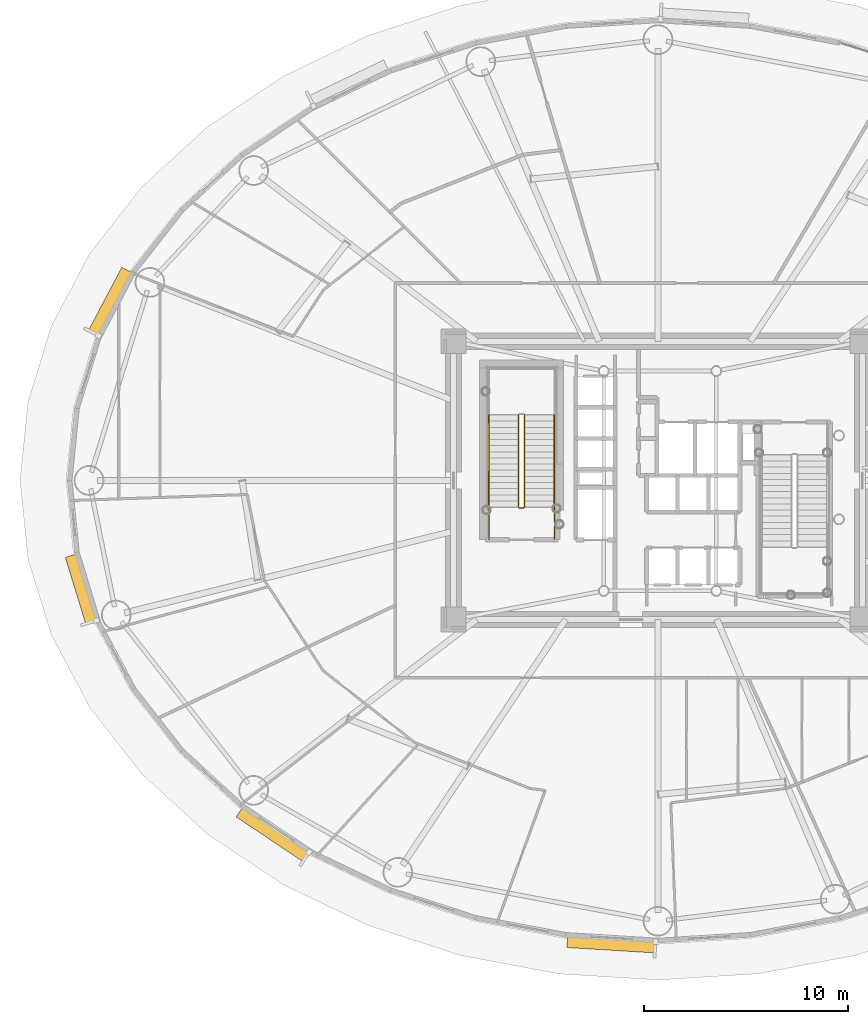
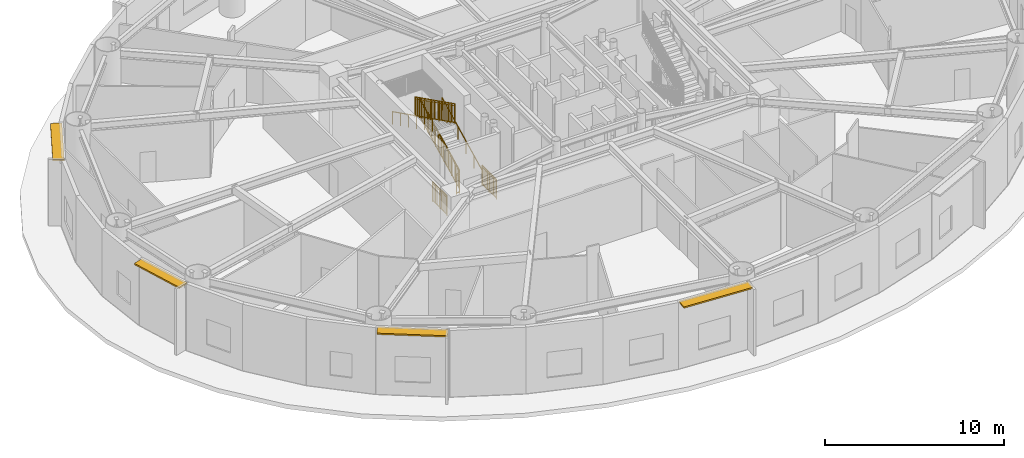
# One storey, part 14 of 19: 7 railings, 4 shading devices.
"""IFC4 building model written with IfcOpenShell, lengths in metres."""

from ifc_helpers import new_model, si_unit, direction, frame, origin, origin_2d, place, context, subcontext, project, spatial, rectangle, extrude, source, transform, mapped, material, layer, layer_set, type_object, element, save


model = new_model("IFC4")

# Units and contexts
model_context = context("Model", 3, precision=1e-05, world=origin(), true_north=direction((0.0, 1.0)))
body_context = subcontext(model_context, "Body", "Model", "MODEL_VIEW")
ifc_project = project(units=[si_unit("LENGTHUNIT", "METRE"), si_unit("AREAUNIT", "SQUARE_METRE"), si_unit("VOLUMEUNIT", "CUBIC_METRE"), si_unit("PLANEANGLEUNIT", "RADIAN"), si_unit("MASSUNIT", "GRAM", prefix="KILO")], contexts=[model_context])

# Site, building, storey
site_placement = place(None, origin())
site = spatial("IfcSite", under=ifc_project, at=site_placement, CompositionType="ELEMENT")
building_placement = place(site_placement, origin())
building = spatial("IfcBuilding", under=site, at=building_placement, Name="Linh Dai School and Residence Tower", CompositionType="ELEMENT")
storey_placement = place(building_placement, frame((0.0, 0.0, 92.39990234375)))
storey = spatial("IfcBuildingStorey", under=building, at=storey_placement, Name="L21", CompositionType="ELEMENT", Elevation=92.39990234375)

# Shading devices
ifc_material_1 = material(Name="Terracotta Ceramic Sunshade", Category="masonry")
ifc_layer = layer(ifc_material_1, 0.10009765625)
ifc_layer_set = layer_set([ifc_layer], Name="Terracotta Ceramic Sunshade")
shading_device_type = type_object("IfcShadingDeviceType", Name="SHD-TC-650", PredefinedType="USERDEFINED", material=ifc_layer_set)
shared_shape_1 = source(origin(), body_context, "Body", "SweptSolid", [
    extrude(rectangle(XDim=3.44384765625, YDim=0.64990234375, at=origin_2d()), origin(), (0.0, 0.0, 1.0), 0.10009765625),
])
shading_device_1_placement = place(storey_placement, frame((7.83154296875, 21.686279296875, 4.429931640625), z_axis=(0.0, 0.0, 1.0), x_axis=(-0.293133528962, 0.956071511028, 0.0)))
element("IfcShadingDevice", 1, at=shading_device_1_placement, inside=storey, type_object=shading_device_type, Name="L21 Terracotta Horizontal Sunshade Band 22", ObjectType="SUNSHADE", PredefinedType="USERDEFINED", context=body_context, shape_type="MappedRepresentation", body=[
    mapped(shared_shape_1, transform((0.0, 0.0, 0.0), x_axis=(1.0, 0.0, 0.0), y_axis=(0.0, 1.0, 0.0), z_axis=(0.0, 0.0, 1.0), scale=1.0)),
])
shared_shape_2 = source(origin(), body_context, "Body", "SweptSolid", [
    extrude(rectangle(XDim=3.96484375, YDim=0.64990234375, at=origin_2d()), origin(), (0.0, 0.0, 1.0), 0.10009765625),
])
shading_device_2_placement = place(storey_placement, frame((17.19970703125, 9.711669921875, 4.429931640625), z_axis=(0.0, 0.0, 1.0), x_axis=(-0.831240347736, 0.555913198527, 0.0)))
element("IfcShadingDevice", 2, at=shading_device_2_placement, inside=storey, type_object=shading_device_type, Name="L21 Terracotta Horizontal Sunshade Band 26", ObjectType="SUNSHADE", PredefinedType="USERDEFINED", context=body_context, shape_type="MappedRepresentation", body=[
    mapped(shared_shape_2, transform((0.0, 0.0, 0.0), x_axis=(1.0, 0.0, 0.0), y_axis=(0.0, 1.0, 0.0), z_axis=(0.0, 0.0, 1.0), scale=1.0)),
])
shared_shape_3 = source(origin(), body_context, "Body", "SweptSolid", [
    extrude(rectangle(XDim=4.33349609375, YDim=0.64990234375, at=origin_2d()), origin(), (0.0, 0.0, 1.0), 0.10009765625),
])
shading_device_3_placement = place(storey_placement, frame((33.729736328125, 4.349365234375, 4.429931640625), z_axis=(0.0, 0.0, 1.0), x_axis=(-0.998106513123, 0.061509255091, 0.0)))
element("IfcShadingDevice", 3, at=shading_device_3_placement, inside=storey, type_object=shading_device_type, Name="L21 Terracotta Horizontal Sunshade Band 30", ObjectType="SUNSHADE", PredefinedType="USERDEFINED", context=body_context, shape_type="MappedRepresentation", body=[
    mapped(shared_shape_3, transform((0.0, 0.0, 0.0), x_axis=(1.0, 0.0, 0.0), y_axis=(0.0, 1.0, 0.0), z_axis=(0.0, 0.0, 1.0), scale=1.0)),
])
shared_shape_4 = source(origin(), body_context, "Body", "SweptSolid", [
    extrude(rectangle(XDim=3.541015625, YDim=0.64990234375, at=origin_2d()), origin(), (0.0, 0.0, 1.0), 0.10009765625),
])
shading_device_4_placement = place(storey_placement, frame((9.240478515625, 35.708740234375, 4.429931640625), z_axis=(0.0, 0.0, 1.0), x_axis=(0.467596217252, 0.883942180016, 0.0)))
element("IfcShadingDevice", 4, at=shading_device_4_placement, inside=storey, type_object=shading_device_type, Name="L21 Terracotta Horizontal Sunshade Band 18", ObjectType="SUNSHADE", PredefinedType="USERDEFINED", context=body_context, shape_type="MappedRepresentation", body=[
    mapped(shared_shape_4, transform((0.0, 0.0, 0.0), x_axis=(1.0, 0.0, 0.0), y_axis=(0.0, 1.0, 0.0), z_axis=(0.0, 0.0, 1.0), scale=1.0)),
])

# Railings
ifc_material_2 = material(Name="Structural Steel S355JR", Category="steel")
railing_type_1 = type_object("IfcRailingType", Name="RL-ST-GUARD-1400", PredefinedType="GUARDRAIL", material=ifc_material_2)
shared_shape_5 = source(origin(), body_context, "Body", "SweptSolid", [
    extrude(rectangle(XDim=0.048095703125, YDim=0.048095703125, at=origin_2d()), frame((0.0, 0.0, 1.3759765625), z_axis=(-1.0, 0.0, 0.0), x_axis=(0.0, -1.0, 0.0)), (0.0, 0.0, 1.0), 0.199951171875),
    extrude(rectangle(XDim=0.048095703125, YDim=0.048095703125, at=origin_2d()), frame((0.0, 0.0, 0.10009765625), z_axis=(-1.0, 0.0, 0.0), x_axis=(0.0, -1.0, 0.0)), (0.0, 0.0, 1.0), 0.199951171875),
    extrude(rectangle(XDim=0.030029296875, YDim=0.030029296875, at=origin_2d()), frame((0.0, 0.0, 1.239990234375), z_axis=(-1.0, 0.0, 0.0), x_axis=(0.0, -1.0, 0.0)), (0.0, 0.0, 1.0), 0.199951171875),
    extrude(rectangle(XDim=0.0419921875, YDim=0.0419921875, at=origin_2d()), origin(), (0.0, 0.0, 1.0), 1.3759765625),
    extrude(rectangle(XDim=0.0419921875, YDim=0.0419921875, at=origin_2d()), frame((-0.199951171875, 0.0, 0.0)), (0.0, 0.0, 1.0), 1.3759765625),
])
railing_1_placement = place(storey_placement, frame((29.429931640625, 25.64990234375, 0.0)))
element("IfcRailing", 5, at=railing_1_placement, inside=storey, type_object=railing_type_1, Name="L21 ST1 stair guard 7", PredefinedType="GUARDRAIL", context=body_context, shape_type="MappedRepresentation", body=[
    mapped(shared_shape_5, transform((0.0, 0.0, 0.0), x_axis=(1.0, 0.0, 0.0), y_axis=(0.0, 1.0, 0.0), z_axis=(0.0, 0.0, 1.0), scale=1.0)),
])
shared_shape_6 = source(origin(), body_context, "Body", "SweptSolid", [
    extrude(rectangle(XDim=0.048095703125, YDim=0.048095703125, at=origin_2d()), frame((0.0, 0.0, 1.3759765625), z_axis=(0.0, 1.0, 0.0), x_axis=(-1.0, 0.0, 0.0)), (0.0, 0.0, 1.0), 1.599853515625),
    extrude(rectangle(XDim=0.048095703125, YDim=0.048095703125, at=origin_2d()), frame((0.0, 0.0, 0.10009765625), z_axis=(0.0, 1.0, 0.0), x_axis=(-1.0, 0.0, 0.0)), (0.0, 0.0, 1.0), 1.599853515625),
    extrude(rectangle(XDim=0.030029296875, YDim=0.030029296875, at=origin_2d()), frame((0.0, 0.0, 1.239990234375), z_axis=(0.0, 1.0, 0.0), x_axis=(-1.0, 0.0, 0.0)), (0.0, 0.0, 1.0), 1.599853515625),
    extrude(rectangle(XDim=0.02001953125, YDim=0.02001953125, at=origin_2d()), frame((0.0, 0.093994140625, 0.10009765625)), (0.0, 0.0, 1.0), 1.251708984375),
    extrude(rectangle(XDim=0.02001953125, YDim=0.02001953125, at=origin_2d()), frame((0.0, 0.188232421875, 0.10009765625)), (0.0, 0.0, 1.0), 1.251708984375),
    extrude(rectangle(XDim=0.02001953125, YDim=0.02001953125, at=origin_2d()), frame((0.0, 0.2822265625, 0.10009765625)), (0.0, 0.0, 1.0), 1.251708984375),
    extrude(rectangle(XDim=0.02001953125, YDim=0.02001953125, at=origin_2d()), frame((0.0, 0.37646484375, 0.10009765625)), (0.0, 0.0, 1.0), 1.251708984375),
    extrude(rectangle(XDim=0.02001953125, YDim=0.02001953125, at=origin_2d()), frame((0.0, 0.470458984375, 0.10009765625)), (0.0, 0.0, 1.0), 1.251708984375),
    extrude(rectangle(XDim=0.02001953125, YDim=0.02001953125, at=origin_2d()), frame((0.0, 0.564697265625, 0.10009765625)), (0.0, 0.0, 1.0), 1.251708984375),
    extrude(rectangle(XDim=0.02001953125, YDim=0.02001953125, at=origin_2d()), frame((0.0, 0.65869140625, 0.10009765625)), (0.0, 0.0, 1.0), 1.251708984375),
    extrude(rectangle(XDim=0.02001953125, YDim=0.02001953125, at=origin_2d()), frame((0.0, 0.7529296875, 0.10009765625)), (0.0, 0.0, 1.0), 1.251708984375),
    extrude(rectangle(XDim=0.02001953125, YDim=0.02001953125, at=origin_2d()), frame((0.0, 0.846923828125, 0.10009765625)), (0.0, 0.0, 1.0), 1.251708984375),
    extrude(rectangle(XDim=0.02001953125, YDim=0.02001953125, at=origin_2d()), frame((0.0, 0.941162109375, 0.10009765625)), (0.0, 0.0, 1.0), 1.251708984375),
    extrude(rectangle(XDim=0.02001953125, YDim=0.02001953125, at=origin_2d()), frame((0.0, 1.03515625, 0.10009765625)), (0.0, 0.0, 1.0), 1.251708984375),
    extrude(rectangle(XDim=0.02001953125, YDim=0.02001953125, at=origin_2d()), frame((0.0, 1.12939453125, 0.10009765625)), (0.0, 0.0, 1.0), 1.251708984375),
    extrude(rectangle(XDim=0.02001953125, YDim=0.02001953125, at=origin_2d()), frame((0.0, 1.223388671875, 0.10009765625)), (0.0, 0.0, 1.0), 1.251708984375),
    extrude(rectangle(XDim=0.02001953125, YDim=0.02001953125, at=origin_2d()), frame((0.0, 1.317626953125, 0.10009765625)), (0.0, 0.0, 1.0), 1.251708984375),
    extrude(rectangle(XDim=0.02001953125, YDim=0.02001953125, at=origin_2d()), frame((0.0, 1.41162109375, 0.10009765625)), (0.0, 0.0, 1.0), 1.251708984375),
    extrude(rectangle(XDim=0.02001953125, YDim=0.02001953125, at=origin_2d()), frame((0.0, 1.505859375, 0.10009765625)), (0.0, 0.0, 1.0), 1.251708984375),
    extrude(rectangle(XDim=0.0419921875, YDim=0.0419921875, at=origin_2d()), origin(), (0.0, 0.0, 1.0), 1.3759765625),
    extrude(rectangle(XDim=0.0419921875, YDim=0.0419921875, at=origin_2d()), frame((0.0, 0.7998046875, 0.0)), (0.0, 0.0, 1.0), 1.3759765625),
    extrude(rectangle(XDim=0.0419921875, YDim=0.0419921875, at=origin_2d()), frame((0.0, 1.599853515625, 0.0)), (0.0, 0.0, 1.0), 1.3759765625),
])
for number, where, name in (
    (6, (30.929931640625, 24.10009765625, 0.0), "L21 ST1 stair guard 8"),
    (7, (27.72998046875, 24.10009765625, 0.0), "L21 ST1 stair guard 9"),
):
    element("IfcRailing", number, at=place(storey_placement, frame(where)), inside=storey, type_object=railing_type_1, Name=name, PredefinedType="GUARDRAIL", context=body_context, shape_type="MappedRepresentation", body=[
        mapped(shared_shape_6, transform((0.0, 0.0, 0.0), x_axis=(1.0, 0.0, 0.0), y_axis=(0.0, 1.0, 0.0), z_axis=(0.0, 0.0, 1.0), scale=1.0)),
    ])
shared_shape_7 = source(origin(), body_context, "Body", "SweptSolid", [
    extrude(rectangle(XDim=0.048095703125, YDim=0.048095703125, at=origin_2d()), frame((0.0, 0.0, 1.3759765625), z_axis=(0.0, 0.894427191, 0.4472135955), x_axis=(-1.0, 0.0, 0.0)), (0.0, 0.0, 1.0), 5.03125),
    extrude(rectangle(XDim=0.048095703125, YDim=0.048095703125, at=origin_2d()), frame((0.0, 0.0, 0.10009765625), z_axis=(0.0, 0.894427191, 0.4472135955), x_axis=(-1.0, 0.0, 0.0)), (0.0, 0.0, 1.0), 5.03125),
    extrude(rectangle(XDim=0.030029296875, YDim=0.030029296875, at=origin_2d()), frame((0.0, 0.0, 1.239990234375), z_axis=(0.0, 0.894427191, 0.4472135955), x_axis=(-1.0, 0.0, 0.0)), (0.0, 0.0, 1.0), 5.03125),
    extrude(rectangle(XDim=0.02001953125, YDim=0.02001953125, at=origin_2d()), frame((0.0, 0.08642578125, 0.143310546875)), (0.0, 0.0, 1.0), 1.251708984375),
    extrude(rectangle(XDim=0.02001953125, YDim=0.02001953125, at=origin_2d()), frame((0.0, 0.173095703125, 0.1865234375)), (0.0, 0.0, 1.0), 1.251708984375),
    extrude(rectangle(XDim=0.02001953125, YDim=0.02001953125, at=origin_2d()), frame((0.0, 0.259521484375, 0.22998046875)), (0.0, 0.0, 1.0), 1.251708984375),
    extrude(rectangle(XDim=0.02001953125, YDim=0.02001953125, at=origin_2d()), frame((0.0, 0.34619140625, 0.273193359375)), (0.0, 0.0, 1.0), 1.251708984375),
    extrude(rectangle(XDim=0.02001953125, YDim=0.02001953125, at=origin_2d()), frame((0.0, 0.4326171875, 0.31640625)), (0.0, 0.0, 1.0), 1.251708984375),
    extrude(rectangle(XDim=0.02001953125, YDim=0.02001953125, at=origin_2d()), frame((0.0, 0.519287109375, 0.359619140625)), (0.0, 0.0, 1.0), 1.251708984375),
    extrude(rectangle(XDim=0.02001953125, YDim=0.02001953125, at=origin_2d()), frame((0.0, 0.605712890625, 0.403076171875)), (0.0, 0.0, 1.0), 1.251708984375),
    extrude(rectangle(XDim=0.02001953125, YDim=0.02001953125, at=origin_2d()), frame((0.0, 0.6923828125, 0.4462890625)), (0.0, 0.0, 1.0), 1.251708984375),
    extrude(rectangle(XDim=0.02001953125, YDim=0.02001953125, at=origin_2d()), frame((0.0, 0.77880859375, 0.489501953125)), (0.0, 0.0, 1.0), 1.251708984375),
    extrude(rectangle(XDim=0.02001953125, YDim=0.02001953125, at=origin_2d()), frame((0.0, 0.951904296875, 0.576171875)), (0.0, 0.0, 1.0), 1.251708984375),
    extrude(rectangle(XDim=0.02001953125, YDim=0.02001953125, at=origin_2d()), frame((0.0, 1.03857421875, 0.619384765625)), (0.0, 0.0, 1.0), 1.251708984375),
    extrude(rectangle(XDim=0.02001953125, YDim=0.02001953125, at=origin_2d()), frame((0.0, 1.125, 0.66259765625)), (0.0, 0.0, 1.0), 1.251708984375),
    extrude(rectangle(XDim=0.02001953125, YDim=0.02001953125, at=origin_2d()), frame((0.0, 1.21142578125, 0.705810546875)), (0.0, 0.0, 1.0), 1.251708984375),
    extrude(rectangle(XDim=0.02001953125, YDim=0.02001953125, at=origin_2d()), frame((0.0, 1.298095703125, 0.7490234375)), (0.0, 0.0, 1.0), 1.251708984375),
    extrude(rectangle(XDim=0.02001953125, YDim=0.02001953125, at=origin_2d()), frame((0.0, 1.384521484375, 0.79248046875)), (0.0, 0.0, 1.0), 1.251708984375),
    extrude(rectangle(XDim=0.02001953125, YDim=0.02001953125, at=origin_2d()), frame((0.0, 1.47119140625, 0.835693359375)), (0.0, 0.0, 1.0), 1.251708984375),
    extrude(rectangle(XDim=0.02001953125, YDim=0.02001953125, at=origin_2d()), frame((0.0, 1.5576171875, 0.87890625)), (0.0, 0.0, 1.0), 1.251708984375),
    extrude(rectangle(XDim=0.02001953125, YDim=0.02001953125, at=origin_2d()), frame((0.0, 1.644287109375, 0.922119140625)), (0.0, 0.0, 1.0), 1.251708984375),
    extrude(rectangle(XDim=0.02001953125, YDim=0.02001953125, at=origin_2d()), frame((0.0, 1.730712890625, 0.965576171875)), (0.0, 0.0, 1.0), 1.251708984375),
    extrude(rectangle(XDim=0.02001953125, YDim=0.02001953125, at=origin_2d()), frame((0.0, 1.90380859375, 1.052001953125)), (0.0, 0.0, 1.0), 1.251708984375),
    extrude(rectangle(XDim=0.02001953125, YDim=0.02001953125, at=origin_2d()), frame((0.0, 1.990478515625, 1.09521484375)), (0.0, 0.0, 1.0), 1.251708984375),
    extrude(rectangle(XDim=0.02001953125, YDim=0.02001953125, at=origin_2d()), frame((0.0, 2.076904296875, 1.138671875)), (0.0, 0.0, 1.0), 1.251708984375),
    extrude(rectangle(XDim=0.02001953125, YDim=0.02001953125, at=origin_2d()), frame((0.0, 2.16357421875, 1.181884765625)), (0.0, 0.0, 1.0), 1.251708984375),
    extrude(rectangle(XDim=0.02001953125, YDim=0.02001953125, at=origin_2d()), frame((0.0, 2.25, 1.22509765625)), (0.0, 0.0, 1.0), 1.251708984375),
    extrude(rectangle(XDim=0.02001953125, YDim=0.02001953125, at=origin_2d()), frame((0.0, 2.33642578125, 1.268310546875)), (0.0, 0.0, 1.0), 1.251708984375),
    extrude(rectangle(XDim=0.02001953125, YDim=0.02001953125, at=origin_2d()), frame((0.0, 2.423095703125, 1.3115234375)), (0.0, 0.0, 1.0), 1.251708984375),
    extrude(rectangle(XDim=0.02001953125, YDim=0.02001953125, at=origin_2d()), frame((0.0, 2.509521484375, 1.35498046875)), (0.0, 0.0, 1.0), 1.251708984375),
    extrude(rectangle(XDim=0.02001953125, YDim=0.02001953125, at=origin_2d()), frame((0.0, 2.59619140625, 1.398193359375)), (0.0, 0.0, 1.0), 1.251708984375),
    extrude(rectangle(XDim=0.02001953125, YDim=0.02001953125, at=origin_2d()), frame((0.0, 2.769287109375, 1.484619140625)), (0.0, 0.0, 1.0), 1.251708984375),
    extrude(rectangle(XDim=0.02001953125, YDim=0.02001953125, at=origin_2d()), frame((0.0, 2.855712890625, 1.528076171875)), (0.0, 0.0, 1.0), 1.251708984375),
    extrude(rectangle(XDim=0.02001953125, YDim=0.02001953125, at=origin_2d()), frame((0.0, 2.9423828125, 1.5712890625)), (0.0, 0.0, 1.0), 1.251708984375),
    extrude(rectangle(XDim=0.02001953125, YDim=0.02001953125, at=origin_2d()), frame((0.0, 3.02880859375, 1.614501953125)), (0.0, 0.0, 1.0), 1.251708984375),
    extrude(rectangle(XDim=0.02001953125, YDim=0.02001953125, at=origin_2d()), frame((0.0, 3.115478515625, 1.65771484375)), (0.0, 0.0, 1.0), 1.251708984375),
    extrude(rectangle(XDim=0.02001953125, YDim=0.02001953125, at=origin_2d()), frame((0.0, 3.201904296875, 1.701171875)), (0.0, 0.0, 1.0), 1.251708984375),
    extrude(rectangle(XDim=0.02001953125, YDim=0.02001953125, at=origin_2d()), frame((0.0, 3.28857421875, 1.744384765625)), (0.0, 0.0, 1.0), 1.251708984375),
    extrude(rectangle(XDim=0.02001953125, YDim=0.02001953125, at=origin_2d()), frame((0.0, 3.375, 1.78759765625)), (0.0, 0.0, 1.0), 1.251708984375),
    extrude(rectangle(XDim=0.02001953125, YDim=0.02001953125, at=origin_2d()), frame((0.0, 3.46142578125, 1.830810546875)), (0.0, 0.0, 1.0), 1.251708984375),
    extrude(rectangle(XDim=0.02001953125, YDim=0.02001953125, at=origin_2d()), frame((0.0, 3.548095703125, 1.8740234375)), (0.0, 0.0, 1.0), 1.251708984375),
    extrude(rectangle(XDim=0.02001953125, YDim=0.02001953125, at=origin_2d()), frame((0.0, 3.72119140625, 1.960693359375)), (0.0, 0.0, 1.0), 1.251708984375),
    extrude(rectangle(XDim=0.02001953125, YDim=0.02001953125, at=origin_2d()), frame((0.0, 3.8076171875, 2.00390625)), (0.0, 0.0, 1.0), 1.251708984375),
    extrude(rectangle(XDim=0.02001953125, YDim=0.02001953125, at=origin_2d()), frame((0.0, 3.894287109375, 2.047119140625)), (0.0, 0.0, 1.0), 1.251708984375),
    extrude(rectangle(XDim=0.02001953125, YDim=0.02001953125, at=origin_2d()), frame((0.0, 3.980712890625, 2.090576171875)), (0.0, 0.0, 1.0), 1.251708984375),
    extrude(rectangle(XDim=0.02001953125, YDim=0.02001953125, at=origin_2d()), frame((0.0, 4.0673828125, 2.1337890625)), (0.0, 0.0, 1.0), 1.251708984375),
    extrude(rectangle(XDim=0.02001953125, YDim=0.02001953125, at=origin_2d()), frame((0.0, 4.15380859375, 2.177001953125)), (0.0, 0.0, 1.0), 1.251708984375),
    extrude(rectangle(XDim=0.02001953125, YDim=0.02001953125, at=origin_2d()), frame((0.0, 4.240478515625, 2.22021484375)), (0.0, 0.0, 1.0), 1.251708984375),
    extrude(rectangle(XDim=0.02001953125, YDim=0.02001953125, at=origin_2d()), frame((0.0, 4.326904296875, 2.263671875)), (0.0, 0.0, 1.0), 1.251708984375),
    extrude(rectangle(XDim=0.02001953125, YDim=0.02001953125, at=origin_2d()), frame((0.0, 4.41357421875, 2.306884765625)), (0.0, 0.0, 1.0), 1.251708984375),
    extrude(rectangle(XDim=0.0419921875, YDim=0.0419921875, at=origin_2d()), origin(), (0.0, 0.0, 1.0), 1.3759765625),
    extrude(rectangle(XDim=0.0419921875, YDim=0.0419921875, at=origin_2d()), frame((0.0, 0.89990234375, 0.449951171875)), (0.0, 0.0, 1.0), 1.3759765625),
    extrude(rectangle(XDim=0.0419921875, YDim=0.0419921875, at=origin_2d()), frame((0.0, 1.800048828125, 0.89990234375)), (0.0, 0.0, 1.0), 1.3759765625),
    extrude(rectangle(XDim=0.0419921875, YDim=0.0419921875, at=origin_2d()), frame((0.0, 2.699951171875, 1.35009765625)), (0.0, 0.0, 1.0), 1.3759765625),
    extrude(rectangle(XDim=0.0419921875, YDim=0.0419921875, at=origin_2d()), frame((0.0, 3.60009765625, 1.800048828125)), (0.0, 0.0, 1.0), 1.3759765625),
    extrude(rectangle(XDim=0.0419921875, YDim=0.0419921875, at=origin_2d()), frame((0.0, 4.5, 2.25)), (0.0, 0.0, 1.0), 1.3759765625),
])
railing_2_placement = place(storey_placement, frame((29.47998046875, 25.699951171875, 0.150146484375)))
element("IfcRailing", 8, at=railing_2_placement, inside=storey, type_object=railing_type_1, Name="L21 ST1 stair guard 1", PredefinedType="GUARDRAIL", context=body_context, shape_type="MappedRepresentation", body=[
    mapped(shared_shape_7, transform((0.0, 0.0, 0.0), x_axis=(1.0, 0.0, 0.0), y_axis=(0.0, 1.0, 0.0), z_axis=(0.0, 0.0, 1.0), scale=1.0)),
])
shared_shape_8 = source(origin(), body_context, "Body", "SweptSolid", [
    extrude(rectangle(XDim=0.048095703125, YDim=0.048095703125, at=origin_2d()), frame((0.0, 0.0, 1.3759765625), z_axis=(0.0, -0.894427191, 0.4472135955), x_axis=(1.0, 0.0, 0.0)), (0.0, 0.0, 1.0), 5.03125),
    extrude(rectangle(XDim=0.048095703125, YDim=0.048095703125, at=origin_2d()), frame((0.0, 0.0, 0.10009765625), z_axis=(0.0, -0.894427191, 0.4472135955), x_axis=(1.0, 0.0, 0.0)), (0.0, 0.0, 1.0), 5.03125),
    extrude(rectangle(XDim=0.030029296875, YDim=0.030029296875, at=origin_2d()), frame((0.0, 0.0, 1.239990234375), z_axis=(0.0, -0.894427191, 0.4472135955), x_axis=(1.0, 0.0, 0.0)), (0.0, 0.0, 1.0), 5.03125),
    extrude(rectangle(XDim=0.02001953125, YDim=0.02001953125, at=origin_2d()), frame((0.0, -0.08642578125, 0.143310546875)), (0.0, 0.0, 1.0), 1.251708984375),
    extrude(rectangle(XDim=0.02001953125, YDim=0.02001953125, at=origin_2d()), frame((0.0, -0.173095703125, 0.1865234375)), (0.0, 0.0, 1.0), 1.251708984375),
    extrude(rectangle(XDim=0.02001953125, YDim=0.02001953125, at=origin_2d()), frame((0.0, -0.259521484375, 0.22998046875)), (0.0, 0.0, 1.0), 1.251708984375),
    extrude(rectangle(XDim=0.02001953125, YDim=0.02001953125, at=origin_2d()), frame((0.0, -0.34619140625, 0.273193359375)), (0.0, 0.0, 1.0), 1.251708984375),
    extrude(rectangle(XDim=0.02001953125, YDim=0.02001953125, at=origin_2d()), frame((0.0, -0.4326171875, 0.31640625)), (0.0, 0.0, 1.0), 1.251708984375),
    extrude(rectangle(XDim=0.02001953125, YDim=0.02001953125, at=origin_2d()), frame((0.0, -0.519287109375, 0.359619140625)), (0.0, 0.0, 1.0), 1.251708984375),
    extrude(rectangle(XDim=0.02001953125, YDim=0.02001953125, at=origin_2d()), frame((0.0, -0.605712890625, 0.403076171875)), (0.0, 0.0, 1.0), 1.251708984375),
    extrude(rectangle(XDim=0.02001953125, YDim=0.02001953125, at=origin_2d()), frame((0.0, -0.6923828125, 0.4462890625)), (0.0, 0.0, 1.0), 1.251708984375),
    extrude(rectangle(XDim=0.02001953125, YDim=0.02001953125, at=origin_2d()), frame((0.0, -0.77880859375, 0.489501953125)), (0.0, 0.0, 1.0), 1.251708984375),
    extrude(rectangle(XDim=0.02001953125, YDim=0.02001953125, at=origin_2d()), frame((0.0, -0.951904296875, 0.576171875)), (0.0, 0.0, 1.0), 1.251708984375),
    extrude(rectangle(XDim=0.02001953125, YDim=0.02001953125, at=origin_2d()), frame((0.0, -1.03857421875, 0.619384765625)), (0.0, 0.0, 1.0), 1.251708984375),
    extrude(rectangle(XDim=0.02001953125, YDim=0.02001953125, at=origin_2d()), frame((0.0, -1.125, 0.66259765625)), (0.0, 0.0, 1.0), 1.251708984375),
    extrude(rectangle(XDim=0.02001953125, YDim=0.02001953125, at=origin_2d()), frame((0.0, -1.21142578125, 0.705810546875)), (0.0, 0.0, 1.0), 1.251708984375),
    extrude(rectangle(XDim=0.02001953125, YDim=0.02001953125, at=origin_2d()), frame((0.0, -1.298095703125, 0.7490234375)), (0.0, 0.0, 1.0), 1.251708984375),
    extrude(rectangle(XDim=0.02001953125, YDim=0.02001953125, at=origin_2d()), frame((0.0, -1.384521484375, 0.79248046875)), (0.0, 0.0, 1.0), 1.251708984375),
    extrude(rectangle(XDim=0.02001953125, YDim=0.02001953125, at=origin_2d()), frame((0.0, -1.47119140625, 0.835693359375)), (0.0, 0.0, 1.0), 1.251708984375),
    extrude(rectangle(XDim=0.02001953125, YDim=0.02001953125, at=origin_2d()), frame((0.0, -1.5576171875, 0.87890625)), (0.0, 0.0, 1.0), 1.251708984375),
    extrude(rectangle(XDim=0.02001953125, YDim=0.02001953125, at=origin_2d()), frame((0.0, -1.644287109375, 0.922119140625)), (0.0, 0.0, 1.0), 1.251708984375),
    extrude(rectangle(XDim=0.02001953125, YDim=0.02001953125, at=origin_2d()), frame((0.0, -1.730712890625, 0.965576171875)), (0.0, 0.0, 1.0), 1.251708984375),
    extrude(rectangle(XDim=0.02001953125, YDim=0.02001953125, at=origin_2d()), frame((0.0, -1.90380859375, 1.052001953125)), (0.0, 0.0, 1.0), 1.251708984375),
    extrude(rectangle(XDim=0.02001953125, YDim=0.02001953125, at=origin_2d()), frame((0.0, -1.990478515625, 1.09521484375)), (0.0, 0.0, 1.0), 1.251708984375),
    extrude(rectangle(XDim=0.02001953125, YDim=0.02001953125, at=origin_2d()), frame((0.0, -2.076904296875, 1.138671875)), (0.0, 0.0, 1.0), 1.251708984375),
    extrude(rectangle(XDim=0.02001953125, YDim=0.02001953125, at=origin_2d()), frame((0.0, -2.16357421875, 1.181884765625)), (0.0, 0.0, 1.0), 1.251708984375),
    extrude(rectangle(XDim=0.02001953125, YDim=0.02001953125, at=origin_2d()), frame((0.0, -2.25, 1.22509765625)), (0.0, 0.0, 1.0), 1.251708984375),
    extrude(rectangle(XDim=0.02001953125, YDim=0.02001953125, at=origin_2d()), frame((0.0, -2.33642578125, 1.268310546875)), (0.0, 0.0, 1.0), 1.251708984375),
    extrude(rectangle(XDim=0.02001953125, YDim=0.02001953125, at=origin_2d()), frame((0.0, -2.423095703125, 1.3115234375)), (0.0, 0.0, 1.0), 1.251708984375),
    extrude(rectangle(XDim=0.02001953125, YDim=0.02001953125, at=origin_2d()), frame((0.0, -2.509521484375, 1.35498046875)), (0.0, 0.0, 1.0), 1.251708984375),
    extrude(rectangle(XDim=0.02001953125, YDim=0.02001953125, at=origin_2d()), frame((0.0, -2.59619140625, 1.398193359375)), (0.0, 0.0, 1.0), 1.251708984375),
    extrude(rectangle(XDim=0.02001953125, YDim=0.02001953125, at=origin_2d()), frame((0.0, -2.769287109375, 1.484619140625)), (0.0, 0.0, 1.0), 1.251708984375),
    extrude(rectangle(XDim=0.02001953125, YDim=0.02001953125, at=origin_2d()), frame((0.0, -2.855712890625, 1.528076171875)), (0.0, 0.0, 1.0), 1.251708984375),
    extrude(rectangle(XDim=0.02001953125, YDim=0.02001953125, at=origin_2d()), frame((0.0, -2.9423828125, 1.5712890625)), (0.0, 0.0, 1.0), 1.251708984375),
    extrude(rectangle(XDim=0.02001953125, YDim=0.02001953125, at=origin_2d()), frame((0.0, -3.02880859375, 1.614501953125)), (0.0, 0.0, 1.0), 1.251708984375),
    extrude(rectangle(XDim=0.02001953125, YDim=0.02001953125, at=origin_2d()), frame((0.0, -3.115478515625, 1.65771484375)), (0.0, 0.0, 1.0), 1.251708984375),
    extrude(rectangle(XDim=0.02001953125, YDim=0.02001953125, at=origin_2d()), frame((0.0, -3.201904296875, 1.701171875)), (0.0, 0.0, 1.0), 1.251708984375),
    extrude(rectangle(XDim=0.02001953125, YDim=0.02001953125, at=origin_2d()), frame((0.0, -3.28857421875, 1.744384765625)), (0.0, 0.0, 1.0), 1.251708984375),
    extrude(rectangle(XDim=0.02001953125, YDim=0.02001953125, at=origin_2d()), frame((0.0, -3.375, 1.78759765625)), (0.0, 0.0, 1.0), 1.251708984375),
    extrude(rectangle(XDim=0.02001953125, YDim=0.02001953125, at=origin_2d()), frame((0.0, -3.46142578125, 1.830810546875)), (0.0, 0.0, 1.0), 1.251708984375),
    extrude(rectangle(XDim=0.02001953125, YDim=0.02001953125, at=origin_2d()), frame((0.0, -3.548095703125, 1.8740234375)), (0.0, 0.0, 1.0), 1.251708984375),
    extrude(rectangle(XDim=0.02001953125, YDim=0.02001953125, at=origin_2d()), frame((0.0, -3.72119140625, 1.960693359375)), (0.0, 0.0, 1.0), 1.251708984375),
    extrude(rectangle(XDim=0.02001953125, YDim=0.02001953125, at=origin_2d()), frame((0.0, -3.8076171875, 2.00390625)), (0.0, 0.0, 1.0), 1.251708984375),
    extrude(rectangle(XDim=0.02001953125, YDim=0.02001953125, at=origin_2d()), frame((0.0, -3.894287109375, 2.047119140625)), (0.0, 0.0, 1.0), 1.251708984375),
    extrude(rectangle(XDim=0.02001953125, YDim=0.02001953125, at=origin_2d()), frame((0.0, -3.980712890625, 2.090576171875)), (0.0, 0.0, 1.0), 1.251708984375),
    extrude(rectangle(XDim=0.02001953125, YDim=0.02001953125, at=origin_2d()), frame((0.0, -4.0673828125, 2.1337890625)), (0.0, 0.0, 1.0), 1.251708984375),
    extrude(rectangle(XDim=0.02001953125, YDim=0.02001953125, at=origin_2d()), frame((0.0, -4.15380859375, 2.177001953125)), (0.0, 0.0, 1.0), 1.251708984375),
    extrude(rectangle(XDim=0.02001953125, YDim=0.02001953125, at=origin_2d()), frame((0.0, -4.240478515625, 2.22021484375)), (0.0, 0.0, 1.0), 1.251708984375),
    extrude(rectangle(XDim=0.02001953125, YDim=0.02001953125, at=origin_2d()), frame((0.0, -4.326904296875, 2.263671875)), (0.0, 0.0, 1.0), 1.251708984375),
    extrude(rectangle(XDim=0.02001953125, YDim=0.02001953125, at=origin_2d()), frame((0.0, -4.41357421875, 2.306884765625)), (0.0, 0.0, 1.0), 1.251708984375),
    extrude(rectangle(XDim=0.0419921875, YDim=0.0419921875, at=origin_2d()), origin(), (0.0, 0.0, 1.0), 1.3759765625),
    extrude(rectangle(XDim=0.0419921875, YDim=0.0419921875, at=origin_2d()), frame((0.0, -0.89990234375, 0.449951171875)), (0.0, 0.0, 1.0), 1.3759765625),
    extrude(rectangle(XDim=0.0419921875, YDim=0.0419921875, at=origin_2d()), frame((0.0, -1.800048828125, 0.89990234375)), (0.0, 0.0, 1.0), 1.3759765625),
    extrude(rectangle(XDim=0.0419921875, YDim=0.0419921875, at=origin_2d()), frame((0.0, -2.699951171875, 1.35009765625)), (0.0, 0.0, 1.0), 1.3759765625),
    extrude(rectangle(XDim=0.0419921875, YDim=0.0419921875, at=origin_2d()), frame((0.0, -3.60009765625, 1.800048828125)), (0.0, 0.0, 1.0), 1.3759765625),
    extrude(rectangle(XDim=0.0419921875, YDim=0.0419921875, at=origin_2d()), frame((0.0, -4.5, 2.25)), (0.0, 0.0, 1.0), 1.3759765625),
])
railing_3_placement = place(storey_placement, frame((29.179931640625, 30.199951171875, 2.550048828125)))
element("IfcRailing", 9, at=railing_3_placement, inside=storey, type_object=railing_type_1, Name="L21 ST1 stair guard 6", PredefinedType="GUARDRAIL", context=body_context, shape_type="MappedRepresentation", body=[
    mapped(shared_shape_8, transform((0.0, 0.0, 0.0), x_axis=(1.0, 0.0, 0.0), y_axis=(0.0, 1.0, 0.0), z_axis=(0.0, 0.0, 1.0), scale=1.0)),
])
ifc_material_3 = material(Name="Brushed Stainless Steel Handrail", Category="steel")
railing_type_2 = type_object("IfcRailingType", Name="RL-ST-HANDRAIL-900", PredefinedType="HANDRAIL", material=ifc_material_3)
shared_shape_9 = source(origin(), body_context, "Body", "SweptSolid", [
    extrude(rectangle(XDim=0.048095703125, YDim=0.048095703125, at=origin_2d()), frame((0.0, 0.0, 0.8759765625), z_axis=(0.0, 0.894427191, 0.4472135955), x_axis=(-1.0, 0.0, 0.0)), (0.0, 0.0, 1.0), 5.03125),
    extrude(rectangle(XDim=0.0419921875, YDim=0.0419921875, at=origin_2d()), origin(), (0.0, 0.0, 1.0), 0.8759765625),
    extrude(rectangle(XDim=0.0419921875, YDim=0.0419921875, at=origin_2d()), frame((0.0, 0.89990234375, 0.449951171875)), (0.0, 0.0, 1.0), 0.8759765625),
    extrude(rectangle(XDim=0.0419921875, YDim=0.0419921875, at=origin_2d()), frame((0.0, 1.800048828125, 0.89990234375)), (0.0, 0.0, 1.0), 0.8759765625),
    extrude(rectangle(XDim=0.0419921875, YDim=0.0419921875, at=origin_2d()), frame((0.0, 2.699951171875, 1.35009765625)), (0.0, 0.0, 1.0), 0.8759765625),
    extrude(rectangle(XDim=0.0419921875, YDim=0.0419921875, at=origin_2d()), frame((0.0, 3.60009765625, 1.800048828125)), (0.0, 0.0, 1.0), 0.8759765625),
    extrude(rectangle(XDim=0.0419921875, YDim=0.0419921875, at=origin_2d()), frame((0.0, 4.5, 2.25)), (0.0, 0.0, 1.0), 0.8759765625),
])
railing_4_placement = place(storey_placement, frame((30.929931640625, 25.699951171875, 0.150146484375)))
element("IfcRailing", 10, at=railing_4_placement, inside=storey, type_object=railing_type_2, Name="L21 ST1 stair handrail 1", PredefinedType="HANDRAIL", context=body_context, shape_type="MappedRepresentation", body=[
    mapped(shared_shape_9, transform((0.0, 0.0, 0.0), x_axis=(1.0, 0.0, 0.0), y_axis=(0.0, 1.0, 0.0), z_axis=(0.0, 0.0, 1.0), scale=1.0)),
])
shared_shape_10 = source(origin(), body_context, "Body", "SweptSolid", [
    extrude(rectangle(XDim=0.048095703125, YDim=0.048095703125, at=origin_2d()), frame((0.0, 0.0, 0.8759765625), z_axis=(0.0, -0.894427191, 0.4472135955), x_axis=(1.0, 0.0, 0.0)), (0.0, 0.0, 1.0), 5.03125),
    extrude(rectangle(XDim=0.0419921875, YDim=0.0419921875, at=origin_2d()), origin(), (0.0, 0.0, 1.0), 0.8759765625),
    extrude(rectangle(XDim=0.0419921875, YDim=0.0419921875, at=origin_2d()), frame((0.0, -0.89990234375, 0.449951171875)), (0.0, 0.0, 1.0), 0.8759765625),
    extrude(rectangle(XDim=0.0419921875, YDim=0.0419921875, at=origin_2d()), frame((0.0, -1.800048828125, 0.89990234375)), (0.0, 0.0, 1.0), 0.8759765625),
    extrude(rectangle(XDim=0.0419921875, YDim=0.0419921875, at=origin_2d()), frame((0.0, -2.699951171875, 1.35009765625)), (0.0, 0.0, 1.0), 0.8759765625),
    extrude(rectangle(XDim=0.0419921875, YDim=0.0419921875, at=origin_2d()), frame((0.0, -3.60009765625, 1.800048828125)), (0.0, 0.0, 1.0), 0.8759765625),
    extrude(rectangle(XDim=0.0419921875, YDim=0.0419921875, at=origin_2d()), frame((0.0, -4.5, 2.25)), (0.0, 0.0, 1.0), 0.8759765625),
])
railing_5_placement = place(storey_placement, frame((27.72998046875, 30.199951171875, 2.550048828125)))
element("IfcRailing", 11, at=railing_5_placement, inside=storey, type_object=railing_type_2, Name="L21 ST1 stair handrail 2", PredefinedType="HANDRAIL", context=body_context, shape_type="MappedRepresentation", body=[
    mapped(shared_shape_10, transform((0.0, 0.0, 0.0), x_axis=(1.0, 0.0, 0.0), y_axis=(0.0, 1.0, 0.0), z_axis=(0.0, 0.0, 1.0), scale=1.0)),
])

save(model, "model.ifc")
